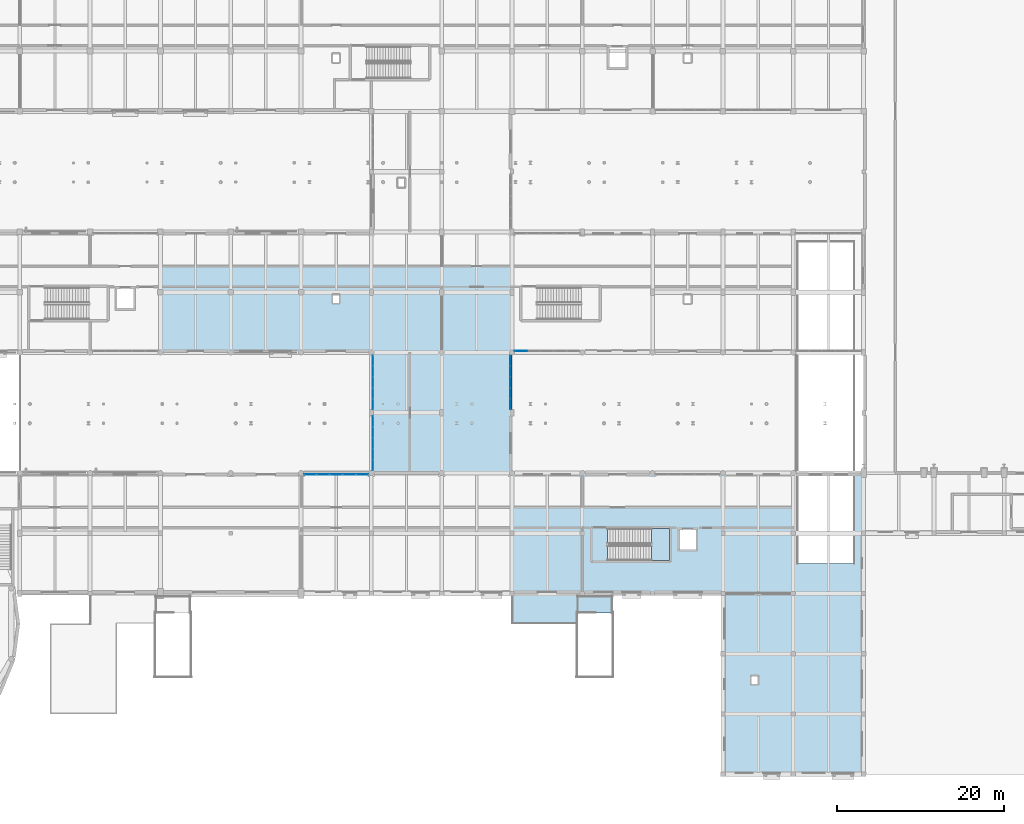
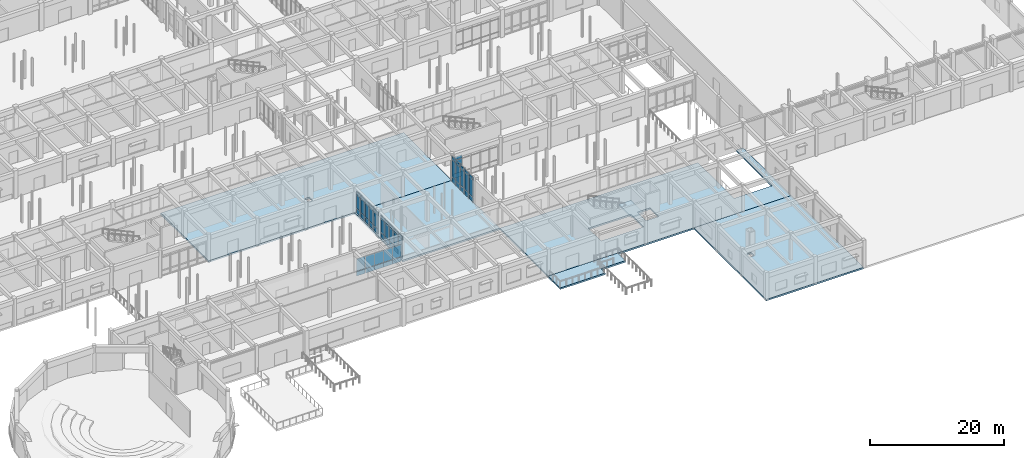
# One storey, part 65 of 121: 58 plates, 6 slabs, 6 elements without a shape of their own.
"""IFC4 building model written with IfcOpenShell, lengths in metres."""

from ifc_helpers import new_model, si_unit, direction, frame, origin, origin_2d, place, context, subcontext, project, spatial, polyline, rectangle, outline, extrude, material, layer, layer_set, type_object, element, aggregate, save


model = new_model("IFC4")

# Units and contexts
model_context = context("Model", 3, precision=1e-05, world=origin(), true_north=direction((0.0, 1.0)))
body_context = subcontext(model_context, "Body", "Model", "MODEL_VIEW")
ifc_project = project(units=[si_unit("LENGTHUNIT", "METRE"), si_unit("AREAUNIT", "SQUARE_METRE"), si_unit("VOLUMEUNIT", "CUBIC_METRE"), si_unit("PLANEANGLEUNIT", "RADIAN"), si_unit("MASSUNIT", "GRAM", prefix="KILO")], contexts=[model_context])

# Site, building, storey
site_placement = place(None, origin())
site = spatial("IfcSite", under=ifc_project, at=site_placement, CompositionType="ELEMENT")
building_placement = place(site_placement, origin())
building = spatial("IfcBuilding", under=site, at=building_placement, Name="Malvenik Polytechnic", CompositionType="ELEMENT")
storey_placement = place(building_placement, origin())
storey = spatial("IfcBuildingStorey", under=building, at=storey_placement, Name="L00", CompositionType="ELEMENT", Elevation=0.0)

# Curtain wall, plates
ifc_material_1 = material(Name="Anodised aluminium 6060-T6", Category="aluminium")
curtain_wall_type_1 = type_object("IfcCurtainWallType", Name="ARC-CW-CW-03", PredefinedType="NOTDEFINED", material=ifc_material_1)
curtain_wall_1_placement = place(storey_placement, origin())
curtain_wall_1 = element("IfcCurtainWall", 1, at=curtain_wall_1_placement, inside=storey, type_object=curtain_wall_type_1, Name="Unitised Curtain Wall CW-03 L00 #1", PredefinedType="NOTDEFINED")
ifc_material_2 = material(Name="Triple solar-control glazing 8-14-6-14-8", Category="glass")
ifc_layer_1 = layer(ifc_material_2, 0.035888671875)
ifc_layer_set_1 = layer_set([ifc_layer_1], Name="Triple solar-control glazing 8-14-6-14-8")
plate_type_1 = type_object("IfcPlateType", Name="ARC-CWP-CP-GLZ36", PredefinedType="CURTAIN_PANEL", material=ifc_layer_set_1)
plate_1_placement = place(storey_placement, frame((68.29345703125, 35.830078125, 0.929931640625), z_axis=(0.0, 0.0, 1.0), x_axis=(1.0, 0.0, 0.0)))
plate_1 = element("IfcPlate", 2, at=plate_1_placement, type_object=plate_type_1, Name="CW-03 panel 1.2", PredefinedType="CURTAIN_PANEL", context=body_context, shape_type="SweptSolid", body=[
    extrude(rectangle(XDim=1.470703125, YDim=0.028076171875, at=origin_2d()), origin(), (0.0, 0.0, 1.0), 2.25),
])
plate_2_placement = place(storey_placement, frame((69.839111328125, 35.830078125, 0.929931640625), z_axis=(0.0, 0.0, 1.0), x_axis=(1.0, 0.0, 0.0)))
plate_2 = element("IfcPlate", 3, at=plate_2_placement, type_object=plate_type_1, Name="CW-03 panel 2.2", PredefinedType="CURTAIN_PANEL", context=body_context, shape_type="SweptSolid", body=[
    extrude(rectangle(XDim=1.500732421875, YDim=0.028076171875, at=origin_2d()), origin(), (0.0, 0.0, 1.0), 2.25),
])
plate_3_placement = place(storey_placement, frame((71.39990234375, 35.830078125, 0.929931640625), z_axis=(0.0, 0.0, 1.0), x_axis=(1.0, 0.0, 0.0)))
plate_3 = element("IfcPlate", 4, at=plate_3_placement, type_object=plate_type_1, Name="CW-03 panel 3.2", PredefinedType="CURTAIN_PANEL", context=body_context, shape_type="SweptSolid", body=[
    extrude(rectangle(XDim=1.500732421875, YDim=0.028076171875, at=origin_2d()), origin(), (0.0, 0.0, 1.0), 2.25),
])
plate_4_placement = place(storey_placement, frame((72.960693359375, 35.830078125, 0.929931640625), z_axis=(0.0, 0.0, 1.0), x_axis=(1.0, 0.0, 0.0)))
plate_4 = element("IfcPlate", 5, at=plate_4_placement, type_object=plate_type_1, Name="CW-03 panel 4.2", PredefinedType="CURTAIN_PANEL", context=body_context, shape_type="SweptSolid", body=[
    extrude(rectangle(XDim=1.500732421875, YDim=0.028076171875, at=origin_2d()), origin(), (0.0, 0.0, 1.0), 2.25),
])
plate_5_placement = place(storey_placement, frame((74.506591796875, 35.830078125, 0.929931640625), z_axis=(0.0, 0.0, 1.0), x_axis=(1.0, 0.0, 0.0)))
plate_5 = element("IfcPlate", 6, at=plate_5_placement, type_object=plate_type_1, Name="CW-03 panel 5.2", PredefinedType="CURTAIN_PANEL", context=body_context, shape_type="SweptSolid", body=[
    extrude(rectangle(XDim=1.470703125, YDim=0.028076171875, at=origin_2d()), origin(), (0.0, 0.0, 1.0), 2.25),
])

curtain_wall_type_2 = type_object("IfcCurtainWallType", Name="ARC-CW-CW-04", PredefinedType="NOTDEFINED", material=ifc_material_1)
curtain_wall_2_placement = place(storey_placement, origin())
curtain_wall_2 = element("IfcCurtainWall", 7, at=curtain_wall_2_placement, inside=storey, type_object=curtain_wall_type_2, Name="Unitised Curtain Wall CW-04 L00 #2", PredefinedType="NOTDEFINED")
plate_6_placement = place(storey_placement, frame((75.77001953125, 36.9658203125, 0.97998046875), z_axis=(0.0, 0.0, 1.0), x_axis=(0.0, 1.0, 0.0)))
plate_6 = element("IfcPlate", 8, at=plate_6_placement, type_object=plate_type_1, Name="CW-04 panel 1.2", PredefinedType="CURTAIN_PANEL", context=body_context, shape_type="SweptSolid", body=[
    extrude(rectangle(XDim=1.2158203125, YDim=0.028076171875, at=origin_2d()), origin(), (0.0, 0.0, 1.0), 2.449951171875),
])
plate_7_placement = place(storey_placement, frame((75.77001953125, 36.9658203125, 3.489990234375), z_axis=(0.0, 0.0, 1.0), x_axis=(0.0, 1.0, 0.0)))
plate_7 = element("IfcPlate", 9, at=plate_7_placement, type_object=plate_type_1, Name="CW-04 panel 1.3", PredefinedType="CURTAIN_PANEL", context=body_context, shape_type="SweptSolid", body=[
    extrude(rectangle(XDim=1.2158203125, YDim=0.028076171875, at=origin_2d()), origin(), (0.0, 0.0, 1.0), 0.56005859375),
])
plate_8_placement = place(storey_placement, frame((75.77001953125, 38.256591796875, 0.97998046875), z_axis=(0.0, 0.0, 1.0), x_axis=(0.0, 1.0, 0.0)))
plate_8 = element("IfcPlate", 10, at=plate_8_placement, type_object=plate_type_1, Name="CW-04 panel 2.2", PredefinedType="CURTAIN_PANEL", context=body_context, shape_type="SweptSolid", body=[
    extrude(rectangle(XDim=1.245849609375, YDim=0.028076171875, at=origin_2d()), origin(), (0.0, 0.0, 1.0), 2.449951171875),
])
plate_9_placement = place(storey_placement, frame((75.77001953125, 38.256591796875, 3.489990234375), z_axis=(0.0, 0.0, 1.0), x_axis=(0.0, 1.0, 0.0)))
plate_9 = element("IfcPlate", 11, at=plate_9_placement, type_object=plate_type_1, Name="CW-04 panel 2.3", PredefinedType="CURTAIN_PANEL", context=body_context, shape_type="SweptSolid", body=[
    extrude(rectangle(XDim=1.245849609375, YDim=0.028076171875, at=origin_2d()), origin(), (0.0, 0.0, 1.0), 0.56005859375),
])
plate_10_placement = place(storey_placement, frame((75.77001953125, 39.5625, 0.97998046875), z_axis=(0.0, 0.0, 1.0), x_axis=(0.0, 1.0, 0.0)))
plate_10 = element("IfcPlate", 12, at=plate_10_placement, type_object=plate_type_1, Name="CW-04 panel 3.2", PredefinedType="CURTAIN_PANEL", context=body_context, shape_type="SweptSolid", body=[
    extrude(rectangle(XDim=1.245849609375, YDim=0.028076171875, at=origin_2d()), origin(), (0.0, 0.0, 1.0), 2.449951171875),
])
plate_11_placement = place(storey_placement, frame((75.77001953125, 39.5625, 3.489990234375), z_axis=(0.0, 0.0, 1.0), x_axis=(0.0, 1.0, 0.0)))
plate_11 = element("IfcPlate", 13, at=plate_11_placement, type_object=plate_type_1, Name="CW-04 panel 3.3", PredefinedType="CURTAIN_PANEL", context=body_context, shape_type="SweptSolid", body=[
    extrude(rectangle(XDim=1.245849609375, YDim=0.028076171875, at=origin_2d()), origin(), (0.0, 0.0, 1.0), 0.56005859375),
])
plate_12_placement = place(storey_placement, frame((75.77001953125, 40.868408203125, 0.97998046875), z_axis=(0.0, 0.0, 1.0), x_axis=(0.0, 1.0, 0.0)))
plate_12 = element("IfcPlate", 14, at=plate_12_placement, type_object=plate_type_1, Name="CW-04 panel 4.2", PredefinedType="CURTAIN_PANEL", context=body_context, shape_type="SweptSolid", body=[
    extrude(rectangle(XDim=1.245849609375, YDim=0.028076171875, at=origin_2d()), origin(), (0.0, 0.0, 1.0), 2.449951171875),
])
plate_13_placement = place(storey_placement, frame((75.77001953125, 40.868408203125, 3.489990234375), z_axis=(0.0, 0.0, 1.0), x_axis=(0.0, 1.0, 0.0)))
plate_13 = element("IfcPlate", 15, at=plate_13_placement, type_object=plate_type_1, Name="CW-04 panel 4.3", PredefinedType="CURTAIN_PANEL", context=body_context, shape_type="SweptSolid", body=[
    extrude(rectangle(XDim=1.245849609375, YDim=0.028076171875, at=origin_2d()), origin(), (0.0, 0.0, 1.0), 0.56005859375),
])
plate_14_placement = place(storey_placement, frame((75.77001953125, 42.1591796875, 0.97998046875), z_axis=(0.0, 0.0, 1.0), x_axis=(0.0, 1.0, 0.0)))
plate_14 = element("IfcPlate", 16, at=plate_14_placement, type_object=plate_type_1, Name="CW-04 panel 5.2", PredefinedType="CURTAIN_PANEL", context=body_context, shape_type="SweptSolid", body=[
    extrude(rectangle(XDim=1.2158203125, YDim=0.028076171875, at=origin_2d()), origin(), (0.0, 0.0, 1.0), 2.449951171875),
])
plate_15_placement = place(storey_placement, frame((75.77001953125, 42.1591796875, 3.489990234375), z_axis=(0.0, 0.0, 1.0), x_axis=(0.0, 1.0, 0.0)))
plate_15 = element("IfcPlate", 17, at=plate_15_placement, type_object=plate_type_1, Name="CW-04 panel 5.3", PredefinedType="CURTAIN_PANEL", context=body_context, shape_type="SweptSolid", body=[
    extrude(rectangle(XDim=1.2158203125, YDim=0.028076171875, at=origin_2d()), origin(), (0.0, 0.0, 1.0), 0.56005859375),
])

curtain_wall_3_placement = place(storey_placement, origin())
curtain_wall_3 = element("IfcCurtainWall", 18, at=curtain_wall_3_placement, inside=storey, type_object=curtain_wall_type_2, Name="Unitised Curtain Wall CW-04 L00 #3", PredefinedType="NOTDEFINED")
plate_16_placement = place(storey_placement, frame((75.77001953125, 44.240966796875, 0.97998046875), z_axis=(0.0, 0.0, 1.0), x_axis=(0.0, 1.0, 0.0)))
plate_16 = element("IfcPlate", 19, at=plate_16_placement, type_object=plate_type_1, Name="CW-04 panel 1.2", PredefinedType="CURTAIN_PANEL", context=body_context, shape_type="SweptSolid", body=[
    extrude(rectangle(XDim=1.2158203125, YDim=0.028076171875, at=origin_2d()), origin(), (0.0, 0.0, 1.0), 2.449951171875),
])
plate_17_placement = place(storey_placement, frame((75.77001953125, 44.240966796875, 3.489990234375), z_axis=(0.0, 0.0, 1.0), x_axis=(0.0, 1.0, 0.0)))
plate_17 = element("IfcPlate", 20, at=plate_17_placement, type_object=plate_type_1, Name="CW-04 panel 1.3", PredefinedType="CURTAIN_PANEL", context=body_context, shape_type="SweptSolid", body=[
    extrude(rectangle(XDim=1.2158203125, YDim=0.028076171875, at=origin_2d()), origin(), (0.0, 0.0, 1.0), 0.56005859375),
])
plate_18_placement = place(storey_placement, frame((75.77001953125, 45.53173828125, 0.97998046875), z_axis=(0.0, 0.0, 1.0), x_axis=(0.0, 1.0, 0.0)))
plate_18 = element("IfcPlate", 21, at=plate_18_placement, type_object=plate_type_1, Name="CW-04 panel 2.2", PredefinedType="CURTAIN_PANEL", context=body_context, shape_type="SweptSolid", body=[
    extrude(rectangle(XDim=1.245849609375, YDim=0.028076171875, at=origin_2d()), origin(), (0.0, 0.0, 1.0), 2.449951171875),
])
plate_19_placement = place(storey_placement, frame((75.77001953125, 45.53173828125, 3.489990234375), z_axis=(0.0, 0.0, 1.0), x_axis=(0.0, 1.0, 0.0)))
plate_19 = element("IfcPlate", 22, at=plate_19_placement, type_object=plate_type_1, Name="CW-04 panel 2.3", PredefinedType="CURTAIN_PANEL", context=body_context, shape_type="SweptSolid", body=[
    extrude(rectangle(XDim=1.245849609375, YDim=0.028076171875, at=origin_2d()), origin(), (0.0, 0.0, 1.0), 0.56005859375),
])
plate_20_placement = place(storey_placement, frame((75.77001953125, 46.83740234375, 0.97998046875), z_axis=(0.0, 0.0, 1.0), x_axis=(0.0, 1.0, 0.0)))
plate_20 = element("IfcPlate", 23, at=plate_20_placement, type_object=plate_type_1, Name="CW-04 panel 3.2", PredefinedType="CURTAIN_PANEL", context=body_context, shape_type="SweptSolid", body=[
    extrude(rectangle(XDim=1.245849609375, YDim=0.028076171875, at=origin_2d()), origin(), (0.0, 0.0, 1.0), 2.449951171875),
])
plate_21_placement = place(storey_placement, frame((75.77001953125, 46.83740234375, 3.489990234375), z_axis=(0.0, 0.0, 1.0), x_axis=(0.0, 1.0, 0.0)))
plate_21 = element("IfcPlate", 24, at=plate_21_placement, type_object=plate_type_1, Name="CW-04 panel 3.3", PredefinedType="CURTAIN_PANEL", context=body_context, shape_type="SweptSolid", body=[
    extrude(rectangle(XDim=1.245849609375, YDim=0.028076171875, at=origin_2d()), origin(), (0.0, 0.0, 1.0), 0.56005859375),
])
plate_22_placement = place(storey_placement, frame((75.77001953125, 48.143310546875, 0.97998046875), z_axis=(0.0, 0.0, 1.0), x_axis=(0.0, 1.0, 0.0)))
plate_22 = element("IfcPlate", 25, at=plate_22_placement, type_object=plate_type_1, Name="CW-04 panel 4.2", PredefinedType="CURTAIN_PANEL", context=body_context, shape_type="SweptSolid", body=[
    extrude(rectangle(XDim=1.245849609375, YDim=0.028076171875, at=origin_2d()), origin(), (0.0, 0.0, 1.0), 2.449951171875),
])
plate_23_placement = place(storey_placement, frame((75.77001953125, 48.143310546875, 3.489990234375), z_axis=(0.0, 0.0, 1.0), x_axis=(0.0, 1.0, 0.0)))
plate_23 = element("IfcPlate", 26, at=plate_23_placement, type_object=plate_type_1, Name="CW-04 panel 4.3", PredefinedType="CURTAIN_PANEL", context=body_context, shape_type="SweptSolid", body=[
    extrude(rectangle(XDim=1.245849609375, YDim=0.028076171875, at=origin_2d()), origin(), (0.0, 0.0, 1.0), 0.56005859375),
])
plate_24_placement = place(storey_placement, frame((75.77001953125, 49.43408203125, 0.97998046875), z_axis=(0.0, 0.0, 1.0), x_axis=(0.0, 1.0, 0.0)))
plate_24 = element("IfcPlate", 27, at=plate_24_placement, type_object=plate_type_1, Name="CW-04 panel 5.2", PredefinedType="CURTAIN_PANEL", context=body_context, shape_type="SweptSolid", body=[
    extrude(rectangle(XDim=1.2158203125, YDim=0.028076171875, at=origin_2d()), origin(), (0.0, 0.0, 1.0), 2.449951171875),
])
plate_25_placement = place(storey_placement, frame((75.77001953125, 49.43408203125, 3.489990234375), z_axis=(0.0, 0.0, 1.0), x_axis=(0.0, 1.0, 0.0)))
plate_25 = element("IfcPlate", 28, at=plate_25_placement, type_object=plate_type_1, Name="CW-04 panel 5.3", PredefinedType="CURTAIN_PANEL", context=body_context, shape_type="SweptSolid", body=[
    extrude(rectangle(XDim=1.2158203125, YDim=0.028076171875, at=origin_2d()), origin(), (0.0, 0.0, 1.0), 0.56005859375),
])

curtain_wall_type_3 = type_object("IfcCurtainWallType", Name="ARC-CW-CW-01", PredefinedType="NOTDEFINED", material=ifc_material_1)
curtain_wall_4_placement = place(storey_placement, origin())
curtain_wall_4 = element("IfcCurtainWall", 29, at=curtain_wall_4_placement, inside=storey, type_object=curtain_wall_type_3, Name="Unitised Curtain Wall CW-01 L00 #15", PredefinedType="NOTDEFINED")
plate_26_placement = place(storey_placement, frame((93.493408203125, 50.570068359375, 0.97998046875), z_axis=(0.0, 0.0, 1.0), x_axis=(-1.0, 0.0, 0.0)))
plate_26 = element("IfcPlate", 30, at=plate_26_placement, type_object=plate_type_1, Name="CW-01 panel 5.2", PredefinedType="CURTAIN_PANEL", context=body_context, shape_type="SweptSolid", body=[
    extrude(rectangle(XDim=1.470703125, YDim=0.028076171875, at=origin_2d()), origin(), (0.0, 0.0, 1.0), 2.35009765625),
])
plate_27_placement = place(storey_placement, frame((93.493408203125, 50.570068359375, 3.389892578125), z_axis=(0.0, 0.0, 1.0), x_axis=(-1.0, 0.0, 0.0)))
plate_27 = element("IfcPlate", 31, at=plate_27_placement, type_object=plate_type_1, Name="CW-01 panel 5.3", PredefinedType="CURTAIN_PANEL", context=body_context, shape_type="SweptSolid", body=[
    extrude(rectangle(XDim=1.470703125, YDim=0.028076171875, at=origin_2d()), origin(), (0.0, 0.0, 1.0), 0.56005859375),
])

curtain_wall_type_4 = type_object("IfcCurtainWallType", Name="ARC-CW-CW-13", PredefinedType="NOTDEFINED", material=ifc_material_1)
curtain_wall_5_placement = place(storey_placement, origin())
curtain_wall_5 = element("IfcCurtainWall", 32, at=curtain_wall_5_placement, inside=storey, type_object=curtain_wall_type_4, Name="Unitised Curtain Wall CW-13 L00 #16", PredefinedType="NOTDEFINED")
plate_28_placement = place(storey_placement, frame((92.22998046875, 49.43408203125, 0.97998046875), z_axis=(0.0, 0.0, 1.0), x_axis=(0.0, -1.0, 0.0)))
plate_28 = element("IfcPlate", 33, at=plate_28_placement, type_object=plate_type_1, Name="CW-13 panel 1.2", PredefinedType="CURTAIN_PANEL", context=body_context, shape_type="SweptSolid", body=[
    extrude(rectangle(XDim=1.2158203125, YDim=0.028076171875, at=origin_2d()), origin(), (0.0, 0.0, 1.0), 3.10009765625),
])
plate_29_placement = place(storey_placement, frame((92.22998046875, 49.43408203125, 4.139892578125), z_axis=(0.0, 0.0, 1.0), x_axis=(0.0, -1.0, 0.0)))
plate_29 = element("IfcPlate", 34, at=plate_29_placement, type_object=plate_type_1, Name="CW-13 panel 1.3", PredefinedType="CURTAIN_PANEL", context=body_context, shape_type="SweptSolid", body=[
    extrude(rectangle(XDim=1.2158203125, YDim=0.028076171875, at=origin_2d()), origin(), (0.0, 0.0, 1.0), 0.56005859375),
])
plate_30_placement = place(storey_placement, frame((92.22998046875, 48.143310546875, 0.97998046875), z_axis=(0.0, 0.0, 1.0), x_axis=(0.0, -1.0, 0.0)))
plate_30 = element("IfcPlate", 35, at=plate_30_placement, type_object=plate_type_1, Name="CW-13 panel 2.2", PredefinedType="CURTAIN_PANEL", context=body_context, shape_type="SweptSolid", body=[
    extrude(rectangle(XDim=1.245849609375, YDim=0.028076171875, at=origin_2d()), origin(), (0.0, 0.0, 1.0), 3.10009765625),
])
plate_31_placement = place(storey_placement, frame((92.22998046875, 48.143310546875, 4.139892578125), z_axis=(0.0, 0.0, 1.0), x_axis=(0.0, -1.0, 0.0)))
plate_31 = element("IfcPlate", 36, at=plate_31_placement, type_object=plate_type_1, Name="CW-13 panel 2.3", PredefinedType="CURTAIN_PANEL", context=body_context, shape_type="SweptSolid", body=[
    extrude(rectangle(XDim=1.245849609375, YDim=0.028076171875, at=origin_2d()), origin(), (0.0, 0.0, 1.0), 0.56005859375),
])
plate_32_placement = place(storey_placement, frame((92.22998046875, 46.83740234375, 0.97998046875), z_axis=(0.0, 0.0, 1.0), x_axis=(0.0, -1.0, 0.0)))
plate_32 = element("IfcPlate", 37, at=plate_32_placement, type_object=plate_type_1, Name="CW-13 panel 3.2", PredefinedType="CURTAIN_PANEL", context=body_context, shape_type="SweptSolid", body=[
    extrude(rectangle(XDim=1.245849609375, YDim=0.028076171875, at=origin_2d()), origin(), (0.0, 0.0, 1.0), 3.10009765625),
])
plate_33_placement = place(storey_placement, frame((92.22998046875, 46.83740234375, 4.139892578125), z_axis=(0.0, 0.0, 1.0), x_axis=(0.0, -1.0, 0.0)))
plate_33 = element("IfcPlate", 38, at=plate_33_placement, type_object=plate_type_1, Name="CW-13 panel 3.3", PredefinedType="CURTAIN_PANEL", context=body_context, shape_type="SweptSolid", body=[
    extrude(rectangle(XDim=1.245849609375, YDim=0.028076171875, at=origin_2d()), origin(), (0.0, 0.0, 1.0), 0.56005859375),
])
plate_34_placement = place(storey_placement, frame((92.22998046875, 45.53173828125, 0.97998046875), z_axis=(0.0, 0.0, 1.0), x_axis=(0.0, -1.0, 0.0)))
plate_34 = element("IfcPlate", 39, at=plate_34_placement, type_object=plate_type_1, Name="CW-13 panel 4.2", PredefinedType="CURTAIN_PANEL", context=body_context, shape_type="SweptSolid", body=[
    extrude(rectangle(XDim=1.245849609375, YDim=0.028076171875, at=origin_2d()), origin(), (0.0, 0.0, 1.0), 3.10009765625),
])
plate_35_placement = place(storey_placement, frame((92.22998046875, 45.53173828125, 4.139892578125), z_axis=(0.0, 0.0, 1.0), x_axis=(0.0, -1.0, 0.0)))
plate_35 = element("IfcPlate", 40, at=plate_35_placement, type_object=plate_type_1, Name="CW-13 panel 4.3", PredefinedType="CURTAIN_PANEL", context=body_context, shape_type="SweptSolid", body=[
    extrude(rectangle(XDim=1.245849609375, YDim=0.028076171875, at=origin_2d()), origin(), (0.0, 0.0, 1.0), 0.56005859375),
])
plate_36_placement = place(storey_placement, frame((92.22998046875, 44.240966796875, 0.97998046875), z_axis=(0.0, 0.0, 1.0), x_axis=(0.0, -1.0, 0.0)))
plate_36 = element("IfcPlate", 41, at=plate_36_placement, type_object=plate_type_1, Name="CW-13 panel 5.2", PredefinedType="CURTAIN_PANEL", context=body_context, shape_type="SweptSolid", body=[
    extrude(rectangle(XDim=1.2158203125, YDim=0.028076171875, at=origin_2d()), origin(), (0.0, 0.0, 1.0), 3.10009765625),
])
plate_37_placement = place(storey_placement, frame((92.22998046875, 44.240966796875, 4.139892578125), z_axis=(0.0, 0.0, 1.0), x_axis=(0.0, -1.0, 0.0)))
plate_37 = element("IfcPlate", 42, at=plate_37_placement, type_object=plate_type_1, Name="CW-13 panel 5.3", PredefinedType="CURTAIN_PANEL", context=body_context, shape_type="SweptSolid", body=[
    extrude(rectangle(XDim=1.2158203125, YDim=0.028076171875, at=origin_2d()), origin(), (0.0, 0.0, 1.0), 0.56005859375),
])

# Plate
ifc_material_3 = material(Name="Insulated aluminium spandrel cassette 42mm", Category="aluminium")
ifc_layer_2 = layer(ifc_material_3, 0.0419921875)
ifc_layer_set_2 = layer_set([ifc_layer_2], Name="Insulated aluminium spandrel cassette 42mm")
plate_type_2 = type_object("IfcPlateType", Name="ARC-CWP-CP-SPN42", PredefinedType="CURTAIN_PANEL", material=ifc_layer_set_2)
plate_38_placement = place(storey_placement, frame((68.29345703125, 35.830078125, 0.06005859375), z_axis=(0.0, 0.0, 1.0), x_axis=(1.0, 0.0, 0.0)))
plate_38 = element("IfcPlate", 43, at=plate_38_placement, type_object=plate_type_2, Name="CW-03 panel 1.1", PredefinedType="CURTAIN_PANEL", context=body_context, shape_type="SweptSolid", body=[
    extrude(rectangle(XDim=1.470703125, YDim=0.028076171875, at=origin_2d()), origin(), (0.0, 0.0, 1.0), 0.81005859375),
])

plate_39_placement = place(storey_placement, frame((69.839111328125, 35.830078125, 0.06005859375), z_axis=(0.0, 0.0, 1.0), x_axis=(1.0, 0.0, 0.0)))
plate_39 = element("IfcPlate", 44, at=plate_39_placement, type_object=plate_type_2, Name="CW-03 panel 2.1", PredefinedType="CURTAIN_PANEL", context=body_context, shape_type="SweptSolid", body=[
    extrude(rectangle(XDim=1.500732421875, YDim=0.028076171875, at=origin_2d()), origin(), (0.0, 0.0, 1.0), 0.81005859375),
])

plate_40_placement = place(storey_placement, frame((71.39990234375, 35.830078125, 0.06005859375), z_axis=(0.0, 0.0, 1.0), x_axis=(1.0, 0.0, 0.0)))
plate_40 = element("IfcPlate", 45, at=plate_40_placement, type_object=plate_type_2, Name="CW-03 panel 3.1", PredefinedType="CURTAIN_PANEL", context=body_context, shape_type="SweptSolid", body=[
    extrude(rectangle(XDim=1.500732421875, YDim=0.028076171875, at=origin_2d()), origin(), (0.0, 0.0, 1.0), 0.81005859375),
])

plate_41_placement = place(storey_placement, frame((72.960693359375, 35.830078125, 0.06005859375), z_axis=(0.0, 0.0, 1.0), x_axis=(1.0, 0.0, 0.0)))
plate_41 = element("IfcPlate", 46, at=plate_41_placement, type_object=plate_type_2, Name="CW-03 panel 4.1", PredefinedType="CURTAIN_PANEL", context=body_context, shape_type="SweptSolid", body=[
    extrude(rectangle(XDim=1.500732421875, YDim=0.028076171875, at=origin_2d()), origin(), (0.0, 0.0, 1.0), 0.81005859375),
])

plate_42_placement = place(storey_placement, frame((74.506591796875, 35.830078125, 0.06005859375), z_axis=(0.0, 0.0, 1.0), x_axis=(1.0, 0.0, 0.0)))
plate_42 = element("IfcPlate", 47, at=plate_42_placement, type_object=plate_type_2, Name="CW-03 panel 5.1", PredefinedType="CURTAIN_PANEL", context=body_context, shape_type="SweptSolid", body=[
    extrude(rectangle(XDim=1.470703125, YDim=0.028076171875, at=origin_2d()), origin(), (0.0, 0.0, 1.0), 0.81005859375),
])

aggregate(curtain_wall_1, [plate_38, plate_1, plate_39, plate_2, plate_40, plate_3, plate_41, plate_4, plate_42, plate_5])

plate_43_placement = place(storey_placement, frame((75.77001953125, 36.9658203125, 0.06005859375), z_axis=(0.0, 0.0, 1.0), x_axis=(0.0, 1.0, 0.0)))
plate_43 = element("IfcPlate", 48, at=plate_43_placement, type_object=plate_type_2, Name="CW-04 panel 1.1", PredefinedType="CURTAIN_PANEL", context=body_context, shape_type="SweptSolid", body=[
    extrude(rectangle(XDim=1.2158203125, YDim=0.028076171875, at=origin_2d()), origin(), (0.0, 0.0, 1.0), 0.860107421875),
])

plate_44_placement = place(storey_placement, frame((75.77001953125, 38.256591796875, 0.06005859375), z_axis=(0.0, 0.0, 1.0), x_axis=(0.0, 1.0, 0.0)))
plate_44 = element("IfcPlate", 49, at=plate_44_placement, type_object=plate_type_2, Name="CW-04 panel 2.1", PredefinedType="CURTAIN_PANEL", context=body_context, shape_type="SweptSolid", body=[
    extrude(rectangle(XDim=1.245849609375, YDim=0.028076171875, at=origin_2d()), origin(), (0.0, 0.0, 1.0), 0.860107421875),
])

plate_45_placement = place(storey_placement, frame((75.77001953125, 39.5625, 0.06005859375), z_axis=(0.0, 0.0, 1.0), x_axis=(0.0, 1.0, 0.0)))
plate_45 = element("IfcPlate", 50, at=plate_45_placement, type_object=plate_type_2, Name="CW-04 panel 3.1", PredefinedType="CURTAIN_PANEL", context=body_context, shape_type="SweptSolid", body=[
    extrude(rectangle(XDim=1.245849609375, YDim=0.028076171875, at=origin_2d()), origin(), (0.0, 0.0, 1.0), 0.860107421875),
])

plate_46_placement = place(storey_placement, frame((75.77001953125, 40.868408203125, 0.06005859375), z_axis=(0.0, 0.0, 1.0), x_axis=(0.0, 1.0, 0.0)))
plate_46 = element("IfcPlate", 51, at=plate_46_placement, type_object=plate_type_2, Name="CW-04 panel 4.1", PredefinedType="CURTAIN_PANEL", context=body_context, shape_type="SweptSolid", body=[
    extrude(rectangle(XDim=1.245849609375, YDim=0.028076171875, at=origin_2d()), origin(), (0.0, 0.0, 1.0), 0.860107421875),
])

plate_47_placement = place(storey_placement, frame((75.77001953125, 42.1591796875, 0.06005859375), z_axis=(0.0, 0.0, 1.0), x_axis=(0.0, 1.0, 0.0)))
plate_47 = element("IfcPlate", 52, at=plate_47_placement, type_object=plate_type_2, Name="CW-04 panel 5.1", PredefinedType="CURTAIN_PANEL", context=body_context, shape_type="SweptSolid", body=[
    extrude(rectangle(XDim=1.2158203125, YDim=0.028076171875, at=origin_2d()), origin(), (0.0, 0.0, 1.0), 0.860107421875),
])

aggregate(curtain_wall_2, [plate_43, plate_6, plate_7, plate_44, plate_8, plate_9, plate_45, plate_10, plate_11, plate_46, plate_12, plate_13, plate_47, plate_14, plate_15])

plate_48_placement = place(storey_placement, frame((75.77001953125, 44.240966796875, 0.06005859375), z_axis=(0.0, 0.0, 1.0), x_axis=(0.0, 1.0, 0.0)))
plate_48 = element("IfcPlate", 53, at=plate_48_placement, type_object=plate_type_2, Name="CW-04 panel 1.1", PredefinedType="CURTAIN_PANEL", context=body_context, shape_type="SweptSolid", body=[
    extrude(rectangle(XDim=1.2158203125, YDim=0.028076171875, at=origin_2d()), origin(), (0.0, 0.0, 1.0), 0.860107421875),
])

plate_49_placement = place(storey_placement, frame((75.77001953125, 45.53173828125, 0.06005859375), z_axis=(0.0, 0.0, 1.0), x_axis=(0.0, 1.0, 0.0)))
plate_49 = element("IfcPlate", 54, at=plate_49_placement, type_object=plate_type_2, Name="CW-04 panel 2.1", PredefinedType="CURTAIN_PANEL", context=body_context, shape_type="SweptSolid", body=[
    extrude(rectangle(XDim=1.245849609375, YDim=0.028076171875, at=origin_2d()), origin(), (0.0, 0.0, 1.0), 0.860107421875),
])

plate_50_placement = place(storey_placement, frame((75.77001953125, 46.83740234375, 0.06005859375), z_axis=(0.0, 0.0, 1.0), x_axis=(0.0, 1.0, 0.0)))
plate_50 = element("IfcPlate", 55, at=plate_50_placement, type_object=plate_type_2, Name="CW-04 panel 3.1", PredefinedType="CURTAIN_PANEL", context=body_context, shape_type="SweptSolid", body=[
    extrude(rectangle(XDim=1.245849609375, YDim=0.028076171875, at=origin_2d()), origin(), (0.0, 0.0, 1.0), 0.860107421875),
])

plate_51_placement = place(storey_placement, frame((75.77001953125, 48.143310546875, 0.06005859375), z_axis=(0.0, 0.0, 1.0), x_axis=(0.0, 1.0, 0.0)))
plate_51 = element("IfcPlate", 56, at=plate_51_placement, type_object=plate_type_2, Name="CW-04 panel 4.1", PredefinedType="CURTAIN_PANEL", context=body_context, shape_type="SweptSolid", body=[
    extrude(rectangle(XDim=1.245849609375, YDim=0.028076171875, at=origin_2d()), origin(), (0.0, 0.0, 1.0), 0.860107421875),
])

plate_52_placement = place(storey_placement, frame((75.77001953125, 49.43408203125, 0.06005859375), z_axis=(0.0, 0.0, 1.0), x_axis=(0.0, 1.0, 0.0)))
plate_52 = element("IfcPlate", 57, at=plate_52_placement, type_object=plate_type_2, Name="CW-04 panel 5.1", PredefinedType="CURTAIN_PANEL", context=body_context, shape_type="SweptSolid", body=[
    extrude(rectangle(XDim=1.2158203125, YDim=0.028076171875, at=origin_2d()), origin(), (0.0, 0.0, 1.0), 0.860107421875),
])

aggregate(curtain_wall_3, [plate_48, plate_16, plate_17, plate_49, plate_18, plate_19, plate_50, plate_20, plate_21, plate_51, plate_22, plate_23, plate_52, plate_24, plate_25])

plate_53_placement = place(storey_placement, frame((93.493408203125, 50.570068359375, 0.06005859375), z_axis=(0.0, 0.0, 1.0), x_axis=(-1.0, 0.0, 0.0)))
plate_53 = element("IfcPlate", 58, at=plate_53_placement, type_object=plate_type_2, Name="CW-01 panel 5.1", PredefinedType="CURTAIN_PANEL", context=body_context, shape_type="SweptSolid", body=[
    extrude(rectangle(XDim=1.470703125, YDim=0.028076171875, at=origin_2d()), origin(), (0.0, 0.0, 1.0), 0.860107421875),
])

aggregate(curtain_wall_4, [plate_53, plate_26, plate_27])

plate_54_placement = place(storey_placement, frame((92.22998046875, 49.43408203125, 0.06005859375), z_axis=(0.0, 0.0, 1.0), x_axis=(0.0, -1.0, 0.0)))
plate_54 = element("IfcPlate", 59, at=plate_54_placement, type_object=plate_type_2, Name="CW-13 panel 1.1", PredefinedType="CURTAIN_PANEL", context=body_context, shape_type="SweptSolid", body=[
    extrude(rectangle(XDim=1.2158203125, YDim=0.028076171875, at=origin_2d()), origin(), (0.0, 0.0, 1.0), 0.860107421875),
])

plate_55_placement = place(storey_placement, frame((92.22998046875, 48.143310546875, 0.06005859375), z_axis=(0.0, 0.0, 1.0), x_axis=(0.0, -1.0, 0.0)))
plate_55 = element("IfcPlate", 60, at=plate_55_placement, type_object=plate_type_2, Name="CW-13 panel 2.1", PredefinedType="CURTAIN_PANEL", context=body_context, shape_type="SweptSolid", body=[
    extrude(rectangle(XDim=1.245849609375, YDim=0.028076171875, at=origin_2d()), origin(), (0.0, 0.0, 1.0), 0.860107421875),
])

plate_56_placement = place(storey_placement, frame((92.22998046875, 46.83740234375, 0.06005859375), z_axis=(0.0, 0.0, 1.0), x_axis=(0.0, -1.0, 0.0)))
plate_56 = element("IfcPlate", 61, at=plate_56_placement, type_object=plate_type_2, Name="CW-13 panel 3.1", PredefinedType="CURTAIN_PANEL", context=body_context, shape_type="SweptSolid", body=[
    extrude(rectangle(XDim=1.245849609375, YDim=0.028076171875, at=origin_2d()), origin(), (0.0, 0.0, 1.0), 0.860107421875),
])

plate_57_placement = place(storey_placement, frame((92.22998046875, 45.53173828125, 0.06005859375), z_axis=(0.0, 0.0, 1.0), x_axis=(0.0, -1.0, 0.0)))
plate_57 = element("IfcPlate", 62, at=plate_57_placement, type_object=plate_type_2, Name="CW-13 panel 4.1", PredefinedType="CURTAIN_PANEL", context=body_context, shape_type="SweptSolid", body=[
    extrude(rectangle(XDim=1.245849609375, YDim=0.028076171875, at=origin_2d()), origin(), (0.0, 0.0, 1.0), 0.860107421875),
])

plate_58_placement = place(storey_placement, frame((92.22998046875, 44.240966796875, 0.06005859375), z_axis=(0.0, 0.0, 1.0), x_axis=(0.0, -1.0, 0.0)))
plate_58 = element("IfcPlate", 63, at=plate_58_placement, type_object=plate_type_2, Name="CW-13 panel 5.1", PredefinedType="CURTAIN_PANEL", context=body_context, shape_type="SweptSolid", body=[
    extrude(rectangle(XDim=1.2158203125, YDim=0.028076171875, at=origin_2d()), origin(), (0.0, 0.0, 1.0), 0.860107421875),
])

aggregate(curtain_wall_5, [plate_54, plate_28, plate_29, plate_55, plate_30, plate_31, plate_56, plate_32, plate_33, plate_57, plate_34, plate_35, plate_58, plate_36, plate_37])

# Stair, slab
ifc_material_4 = material(Name="Concrete C35/45", Category="concrete")
stair_type = type_object("IfcStairType", Name="ARC-STR-ST-08", PredefinedType="HALF_TURN_STAIR", material=ifc_material_4)
stair_placement = place(storey_placement, origin())
stair = element("IfcStair", 64, at=stair_placement, inside=storey, type_object=stair_type, Name="L00 Escape Stair ST-08", PredefinedType="HALF_TURN_STAIR")
ifc_layer_3 = layer(ifc_material_4, 0.199951171875)
ifc_layer_set_3 = layer_set([ifc_layer_3], Name="Concrete C35/45")
slab_type_1 = type_object("IfcSlabType", Name="ARC-SLB-STLND", PredefinedType="LANDING", material=ifc_layer_set_3)
slab_1_placement = place(storey_placement, frame((0.0, 0.0, 2.35009765625)))
slab_1 = element("IfcSlab", 65, at=slab_1_placement, type_object=slab_type_1, Name="ST-08 landing 1", PredefinedType="LANDING", context=body_context, shape_type="SweptSolid", body=[
    extrude(outline(polyline([(109.080078125, 25.550048828125), (111.199951171875, 25.550048828125), (111.199951171875, 29.35009765625), (109.080078125, 29.35009765625), (109.080078125, 25.550048828125)])), origin(), (0.0, 0.0, 1.0), 0.199951171875),
])
aggregate(stair, [slab_1])

# Slabs
ifc_layer_4 = layer(ifc_material_4, 0.300048828125)
ifc_layer_set_4 = layer_set([ifc_layer_4], Name="Concrete C35/45")
slab_type_2 = type_object("IfcSlabType", Name="STR-SLB-FLR-300", PredefinedType="FLOOR", material=ifc_layer_set_4)
slab_2_placement = place(storey_placement, frame((0.0, 0.0, -0.300048828125)))
element("IfcSlab", 66, at=slab_2_placement, inside=storey, type_object=slab_type_2, Name="Structural Slab L00-V3 #25", PredefinedType="FLOOR", context=body_context, shape_type="SweptSolid", body=[
    extrude(outline(polyline([(92.3798828125, 64.800048828125), (92.3798828125, 50.39990234375), (50.419921875, 50.39990234375), (50.419921875, 64.800048828125), (92.3798828125, 64.800048828125)]), holes=[polyline([(71.75, 57.25), (71.0, 57.25), (71.0, 56.300048828125), (71.75, 56.300048828125), (71.75, 57.25)])]), origin(), (0.0, 0.0, 1.0), 0.300048828125),
])
slab_3_placement = place(storey_placement, frame((0.0, 0.0, -0.300048828125)))
element("IfcSlab", 67, at=slab_3_placement, inside=storey, type_object=slab_type_2, Name="Structural Slab L00-V4 #29", PredefinedType="FLOOR", context=body_context, shape_type="SweptSolid", body=[
    extrude(outline(polyline([(126.60009765625, 36.0), (126.60009765625, 25.219970703125), (133.199951171875, 25.219970703125), (133.199951171875, 36.0), (134.3798828125, 36.0), (134.3798828125, 21.60009765625), (92.419921875, 21.60009765625), (92.419921875, 36.0), (126.60009765625, 36.0)]), holes=[polyline([(111.199951171875, 25.550048828125), (111.199951171875, 29.35009765625), (103.818115234375, 29.35009765625), (103.818115234375, 25.550048828125), (111.199951171875, 25.550048828125)]), polyline([(114.5, 29.35009765625), (112.300048828125, 29.35009765625), (112.300048828125, 26.75), (114.5, 26.75), (114.5, 29.35009765625)])]), origin(), (0.0, 0.0, 1.0), 0.300048828125),
])
slab_4_placement = place(storey_placement, frame((0.0, 0.0, -0.300048828125)))
element("IfcSlab", 68, at=slab_4_placement, inside=storey, type_object=slab_type_2, Name="Structural Slab L00-V4-SE #30", PredefinedType="FLOOR", context=body_context, shape_type="SweptSolid", body=[
    extrude(outline(polyline([(117.60009765625, 21.60009765625), (134.3798828125, 21.60009765625), (134.3798828125, 0.0), (117.60009765625, 0.0), (117.60009765625, 21.60009765625)]), holes=[polyline([(121.0, 11.75), (121.0, 10.800048828125), (121.75, 10.800048828125), (121.75, 11.75), (121.0, 11.75)])]), origin(), (0.0, 0.0, 1.0), 0.300048828125),
])
slab_5_placement = place(storey_placement, frame((0.0, 0.0, -0.300048828125)))
element("IfcSlab", 69, at=slab_5_placement, inside=storey, type_object=slab_type_2, Name="Structural Slab L00-SP-S #33", PredefinedType="FLOOR", context=body_context, shape_type="SweptSolid", body=[
    extrude(outline(polyline([(75.60009765625, 50.39990234375), (92.3798828125, 50.39990234375), (92.3798828125, 36.0), (75.60009765625, 36.0), (75.60009765625, 50.39990234375)])), origin(), (0.0, 0.0, 1.0), 0.300048828125),
])
slab_6_placement = place(storey_placement, frame((0.0, 0.0, -0.300048828125)))
element("IfcSlab", 70, at=slab_6_placement, inside=storey, type_object=slab_type_2, Name="Exterior Terrace Slab L00 #41", PredefinedType="FLOOR", context=body_context, shape_type="SweptSolid", body=[
    extrude(outline(polyline([(92.39990234375, 21.60009765625), (92.400390625, 21.60009765625), (104.3994140625, 21.60009765625), (104.39990234375, 21.60009765625), (104.39990234375, 21.599609375), (104.39990234375, 19.281982421875), (100.199951171875, 19.281982421875), (100.199951171875, 18.0), (92.400390625, 18.0), (92.39990234375, 18.0), (92.39990234375, 18.00048828125), (92.39990234375, 21.599609375), (92.39990234375, 21.60009765625)])), origin(), (0.0, 0.0, 1.0), 0.300048828125),
])

save(model, "model.ifc")
